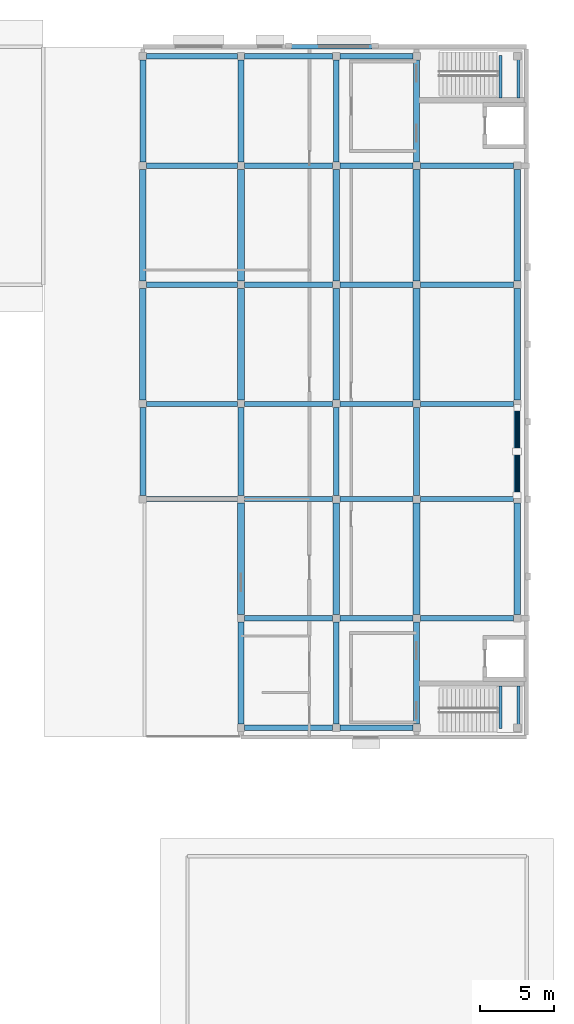
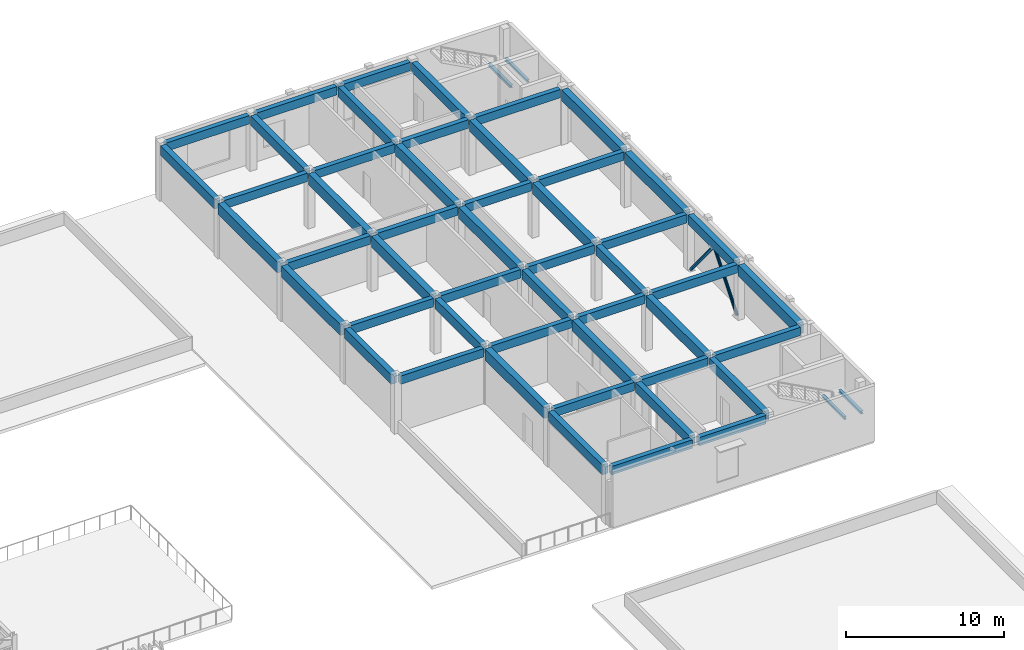
# One storey, part 17 of 45: 55 beams, 2 members.
"""IFC4 building model written with IfcOpenShell, lengths in metres."""

import ifcopenshell
import ifcopenshell.guid

model = None  # the IFC model being written
_history = None  # IfcOwnerHistory: only IFC2X3 demands one
_inside = {}  # id of a spatial element -> (the spatial element, [elements in it])
_under = {}  # id of a project, library or spatial element -> (it, [spatial elements below it])
_declared = {}  # id of a project -> (the project, [libraries it declares])
_typed = {}  # id of a type object -> (the type object, [elements of that type])
_made_of = {}  # id of a material, layer set ... -> (it, [elements and type objects made of it])


def new_model(schema):
    """Start an empty IFC model of exactly this schema.

    Asked for "IFC4X3", IfcOpenShell would pick the latest addendum, in which some entities
    have other attributes; the version numbers below select the first issue.
    IFC2X3 requires an IfcOwnerHistory on every rooted entity: one is made here for all.
    """
    global model, _history
    if schema == "IFC4X3":
        model = ifcopenshell.file(schema_version=(4, 3, 0, 0))
    else:
        model = ifcopenshell.file(schema=schema)
    _inside.clear()
    _under.clear()
    _declared.clear()
    _typed.clear()
    _made_of.clear()
    _history = None
    if model.schema == "IFC2X3":
        org = make("IfcOrganization", Name="unknown")
        user = make(
            "IfcPersonAndOrganization",
            ThePerson=make("IfcPerson", FamilyName="unknown"),
            TheOrganization=org,
        )
        app = make(
            "IfcApplication",
            ApplicationDeveloper=org,
            Version="unknown",
            ApplicationFullName="unknown",
            ApplicationIdentifier="unknown",
        )
        _history = make(
            "IfcOwnerHistory",
            OwningUser=user,
            OwningApplication=app,
            ChangeAction="ADDED",
            CreationDate=0,
        )
    return model


def make(cls, **values):
    """One entity of the class cls with the attributes given. An attribute that is None is left unset."""
    return model.create_entity(
        cls, **{name: value for name, value in values.items() if value is not None}
    )


def rooted(cls, **values):
    """An entity with a GlobalId (a new one), such as an element, a storey or a relation."""
    return make(cls, GlobalId=ifcopenshell.guid.new(), OwnerHistory=_history, **values)


def si_unit(unit_type, name, prefix=None):
    """IfcSIUnit, for example si_unit("LENGTHUNIT", "METRE", prefix="MILLI")."""
    return make("IfcSIUnit", UnitType=unit_type, Prefix=prefix, Name=name)


def assignment(units):
    """IfcUnitAssignment: the units of a project."""
    return None if units is None else make("IfcUnitAssignment", Units=units)


def point(xyz):
    """IfcCartesianPoint."""
    return None if xyz is None else make("IfcCartesianPoint", Coordinates=xyz)


def direction(xyz):
    """IfcDirection."""
    return None if xyz is None else make("IfcDirection", DirectionRatios=xyz)


def frame(location, z_axis=None, x_axis=None):
    """IfcAxis2Placement3D, a coordinate frame: its origin and axes. An axis left out is left unset."""
    return make(
        "IfcAxis2Placement3D",
        Location=point(location),
        Axis=direction(z_axis),
        RefDirection=direction(x_axis),
    )


def frame_2d(location, x_axis=None):
    """IfcAxis2Placement2D, a coordinate frame in the plane: its origin and x axis."""
    return make(
        "IfcAxis2Placement2D", Location=point(location), RefDirection=direction(x_axis)
    )


def origin():
    """The frame at (0, 0, 0) with its axes left unset."""
    return frame((0.0, 0.0, 0.0))


def origin_2d():
    """The frame at (0, 0) in the plane with its x axis left unset."""
    return frame_2d((0.0, 0.0))


def place(relative_to, where):
    """IfcLocalPlacement: puts the frame where relative to a parent placement (None: the world)."""
    return make(
        "IfcLocalPlacement", PlacementRelTo=relative_to, RelativePlacement=where
    )


def context(
    kind, dimensions, precision=None, world=None, true_north=None, identifier=None
):
    """IfcGeometricRepresentationContext, for example the 3D "Model" context."""
    return make(
        "IfcGeometricRepresentationContext",
        ContextIdentifier=identifier,
        ContextType=kind,
        CoordinateSpaceDimension=dimensions,
        Precision=precision,
        WorldCoordinateSystem=world,
        TrueNorth=true_north,
    )


def subcontext(parent, identifier, kind, view, scale=None):
    """IfcGeometricRepresentationSubContext, for example "Body" below "Model"."""
    return make(
        "IfcGeometricRepresentationSubContext",
        ContextIdentifier=identifier,
        ContextType=kind,
        ParentContext=parent,
        TargetScale=scale,
        TargetView=view,
    )


def project(units=None, contexts=None):
    """IfcProject with its units and contexts."""
    return rooted(
        "IfcProject",
        Name="project",
        RepresentationContexts=contexts,
        UnitsInContext=assignment(units),
    )


def spatial(cls, under=None, at=None, **own):
    """A site, building, storey or space (cls), placed at a placement, below another one or the project."""
    s = rooted(cls, ObjectPlacement=at, **own)
    if under is not None:
        _under.setdefault(under.id(), (under, []))[1].append(s)
    return s


def profile(cls, at=None, kind="AREA", **sizes):
    """A parametric profile (cls). Its sizes go by their IFC names, for example OverallWidth=200.0."""
    return make(cls, ProfileType=kind, Position=at, **sizes)


def rectangle(**sizes):
    """IfcRectangleProfileDef."""
    return profile("IfcRectangleProfileDef", **sizes)


def hollow_circle(**sizes):
    """IfcCircleHollowProfileDef."""
    return profile("IfcCircleHollowProfileDef", **sizes)


def i_section(**sizes):
    """IfcIShapeProfileDef."""
    return profile("IfcIShapeProfileDef", **sizes)


def extrude(swept, where, along, depth):
    """IfcExtrudedAreaSolid: the profile swept, set in the frame where, extruded along a direction by depth."""
    return make(
        "IfcExtrudedAreaSolid",
        SweptArea=swept,
        Position=where,
        ExtrudedDirection=direction(along),
        Depth=depth,
    )


def shape(context_of_items, identifier, shape_type, items):
    """IfcShapeRepresentation: the items that make up one representation, for example the "Body"."""
    return make(
        "IfcShapeRepresentation",
        ContextOfItems=context_of_items,
        RepresentationIdentifier=identifier,
        RepresentationType=shape_type,
        Items=items,
    )


def material(Name=None, Category=None):
    """IfcMaterial."""
    return make("IfcMaterial", Name=Name, Category=Category)


def material_profile(
    of_material, cross_section, Name=None, Category=None, Priority=None
):
    """IfcMaterialProfile: a cross section and its material."""
    return make(
        "IfcMaterialProfile",
        Name=Name,
        Material=of_material,
        Profile=cross_section,
        Priority=Priority,
        Category=Category,
    )


def profile_set(profiles, Name=None, composite=None):
    """IfcMaterialProfileSet."""
    return make(
        "IfcMaterialProfileSet",
        Name=Name,
        MaterialProfiles=profiles,
        CompositeProfile=composite,
    )


def made_of(thing, what):
    """Note that an element or type object is made of a material, layer set ...; save() writes the relation."""
    if what is not None:
        _made_of.setdefault(what.id(), (what, []))[1].append(thing)
    return thing


def type_object(cls, material=None, **own):
    """A type object (cls), such as IfcWallType, which elements share."""
    return made_of(rooted(cls, **own), material)


def element(
    cls,
    number,
    at=None,
    inside=None,
    cuts=None,
    type_object=None,
    material=None,
    context=None,
    identifier="Body",
    shape_type=None,
    held_by="IfcProductDefinitionShape",
    body=None,
    shapes=None,
    **own,
):
    """One element of the class cls, such as IfcWall. Its Tag is "e" and its number.

    at: its placement. inside: the storey or other place that contains it. cuts: it is an
    opening in that element (IfcRelVoidsElement). A single representation is given by context,
    identifier, shape_type and body (its items); several are given by shapes. held_by: the class
    of the entity that holds the representations. save() writes the other relations.
    """
    e = rooted(cls, Tag="e%d" % number, ObjectPlacement=at, **own)
    if body is not None:
        shapes = [shape(context, identifier, shape_type, body)]
    if shapes is not None:
        e.Representation = make(held_by, Representations=shapes)
    if inside is not None:
        _inside.setdefault(inside.id(), (inside, []))[1].append(e)
    if cuts is not None:
        rooted(
            "IfcRelVoidsElement", RelatingBuildingElement=cuts, RelatedOpeningElement=e
        )
    if type_object is not None:
        _typed.setdefault(type_object.id(), (type_object, []))[1].append(e)
    return made_of(e, material)


def aggregate(whole, parts):
    """IfcRelAggregates: a whole, such as a stair, and the parts it consists of."""
    return rooted("IfcRelAggregates", RelatingObject=whole, RelatedObjects=parts)


def save(model, path):
    """Write the relations noted so far, then the file.

    IfcRelAggregates (storeys below a building ...), IfcRelContainedInSpatialStructure (elements
    in a storey), IfcRelDefinesByType, IfcRelAssociatesMaterial and IfcRelDeclares: one each for
    every whole, place, type object, material and project.
    """
    for whole, parts in _under.values():
        aggregate(whole, parts)
    for where, things in _inside.values():
        rooted(
            "IfcRelContainedInSpatialStructure",
            RelatedElements=things,
            RelatingStructure=where,
        )
    for kind, things in _typed.values():
        rooted("IfcRelDefinesByType", RelatedObjects=things, RelatingType=kind)
    for what, things in _made_of.values():
        rooted("IfcRelAssociatesMaterial", RelatedObjects=things, RelatingMaterial=what)
    for by, libraries in _declared.values():
        rooted("IfcRelDeclares", RelatingContext=by, RelatedDefinitions=libraries)
    model.write(path)


model = new_model("IFC4")

# Units and contexts
model_context = context("Model", 3, precision=1e-05, world=origin(), true_north=direction((0.0, 1.0)))
body_context = subcontext(model_context, "Body", "Model", "MODEL_VIEW")
ifc_project = project(units=[si_unit("LENGTHUNIT", "METRE"), si_unit("AREAUNIT", "SQUARE_METRE"), si_unit("VOLUMEUNIT", "CUBIC_METRE"), si_unit("PLANEANGLEUNIT", "RADIAN"), si_unit("MASSUNIT", "GRAM", prefix="KILO")], contexts=[model_context])

# Site, building, storey
site_placement = place(None, origin())
site = spatial("IfcSite", under=ifc_project, at=site_placement, CompositionType="ELEMENT")
building_placement = place(site_placement, origin())
building = spatial("IfcBuilding", under=site, at=building_placement, Name="Cinchona Park Media Centre", CompositionType="ELEMENT")
storey_placement = place(building_placement, frame((0.0, 0.0, 20.39990234375)))
storey = spatial("IfcBuildingStorey", under=building, at=storey_placement, Name="L04", CompositionType="ELEMENT", Elevation=20.39990234375)

# Beams
ifc_material_1 = material(Name="Concrete C35/45", Category="concrete")
ifc_material_profile_1 = material_profile(ifc_material_1, rectangle(XDim=0.39990234375, YDim=0.75, at=origin_2d()), Name="RB 400X750")
ifc_profile_set_1 = profile_set([ifc_material_profile_1], Name="Concrete C35/45")
beam_type_1 = type_object("IfcBeamType", Name="BEAM-B01-RB400X750", PredefinedType="BEAM", material=ifc_profile_set_1)
beam_1_placement = place(storey_placement, frame((146.199951171875, 87.85009765625, 3.925048828125), z_axis=(0.0, 1.0, 0.0), x_axis=(-1.0, 0.0, 0.0)))
element("IfcBeam", 1, at=beam_1_placement, inside=storey, type_object=beam_type_1, Name="Girder B01 L04", PredefinedType="BEAM", context=body_context, shape_type="SweptSolid", body=[
    extrude(rectangle(XDim=0.39990234375, YDim=0.75, at=origin_2d()), origin(), (0.0, 0.0, 1.0), 5.89990234375),
])
for number, where, z_axis, x_axis, name in (
    (2, (146.199951171875, 110.25, 3.925048828125), (0.0, 1.0, 0.0), (-1.0, 0.0, 0.0), "Girder B01 L04"),
    (3, (152.800048828125, 72.489990234375, 3.925048828125), (0.0, 1.0, 0.0), (-1.0, 0.0, 0.0), "Girder B01 L04"),
):
    element("IfcBeam", number, at=place(storey_placement, frame(where, z_axis=z_axis, x_axis=x_axis)), inside=storey, type_object=beam_type_1, Name=name, PredefinedType="BEAM", context=body_context, shape_type="SweptSolid", body=[
        extrude(rectangle(XDim=0.39990234375, YDim=0.75, at=origin_2d()), origin(), (0.0, 0.0, 1.0), 6.860107421875),
    ])
beam_2_placement = place(storey_placement, frame((152.800048828125, 87.85009765625, 3.925048828125), z_axis=(0.0, 1.0, 0.0), x_axis=(-1.0, 0.0, 0.0)))
element("IfcBeam", 4, at=beam_2_placement, inside=storey, type_object=beam_type_1, Name="Girder B01 L04", PredefinedType="BEAM", context=body_context, shape_type="SweptSolid", body=[
    extrude(rectangle(XDim=0.39990234375, YDim=0.75, at=origin_2d()), origin(), (0.0, 0.0, 1.0), 5.89990234375),
])
for number, where, z_axis, x_axis, name in (
    (5, (152.800048828125, 110.25, 3.925048828125), (0.0, 1.0, 0.0), (-1.0, 0.0, 0.0), "Girder B01 L04"),
    (6, (159.199951171875, 72.489990234375, 3.925048828125), (0.0, 1.0, 0.0), (-1.0, 0.0, 0.0), "Girder B01 L04"),
):
    element("IfcBeam", number, at=place(storey_placement, frame(where, z_axis=z_axis, x_axis=x_axis)), inside=storey, type_object=beam_type_1, Name=name, PredefinedType="BEAM", context=body_context, shape_type="SweptSolid", body=[
        extrude(rectangle(XDim=0.39990234375, YDim=0.75, at=origin_2d()), origin(), (0.0, 0.0, 1.0), 6.860107421875),
    ])
beam_3_placement = place(storey_placement, frame((159.199951171875, 87.85009765625, 3.925048828125), z_axis=(0.0, 1.0, 0.0), x_axis=(-1.0, 0.0, 0.0)))
element("IfcBeam", 7, at=beam_3_placement, inside=storey, type_object=beam_type_1, Name="Girder B01 L04", PredefinedType="BEAM", context=body_context, shape_type="SweptSolid", body=[
    extrude(rectangle(XDim=0.39990234375, YDim=0.75, at=origin_2d()), origin(), (0.0, 0.0, 1.0), 5.89990234375),
])
for number, where, z_axis, x_axis, name in (
    (8, (159.199951171875, 110.25, 3.925048828125), (0.0, 1.0, 0.0), (-1.0, 0.0, 0.0), "Girder B01 L04"),
    (9, (164.60009765625, 72.489990234375, 3.925048828125), (0.0, 1.0, 0.0), (-1.0, 0.0, 0.0), "Girder B01 L04"),
):
    element("IfcBeam", number, at=place(storey_placement, frame(where, z_axis=z_axis, x_axis=x_axis)), inside=storey, type_object=beam_type_1, Name=name, PredefinedType="BEAM", context=body_context, shape_type="SweptSolid", body=[
        extrude(rectangle(XDim=0.39990234375, YDim=0.75, at=origin_2d()), origin(), (0.0, 0.0, 1.0), 6.860107421875),
    ])
beam_4_placement = place(storey_placement, frame((164.60009765625, 87.85009765625, 3.925048828125), z_axis=(0.0, 1.0, 0.0), x_axis=(-1.0, 0.0, 0.0)))
element("IfcBeam", 10, at=beam_4_placement, inside=storey, type_object=beam_type_1, Name="Girder B01 L04", PredefinedType="BEAM", context=body_context, shape_type="SweptSolid", body=[
    extrude(rectangle(XDim=0.39990234375, YDim=0.75, at=origin_2d()), origin(), (0.0, 0.0, 1.0), 5.89990234375),
])
beam_5_placement = place(storey_placement, frame((164.60009765625, 110.25, 3.925048828125), z_axis=(0.0, 1.0, 0.0), x_axis=(-1.0, 0.0, 0.0)))
element("IfcBeam", 11, at=beam_5_placement, inside=storey, type_object=beam_type_1, Name="Girder B01 L04", PredefinedType="BEAM", context=body_context, shape_type="SweptSolid", body=[
    extrude(rectangle(XDim=0.39990234375, YDim=0.75, at=origin_2d()), origin(), (0.0, 0.0, 1.0), 6.860107421875),
])
beam_6_placement = place(storey_placement, frame((171.360107421875, 87.85009765625, 3.925048828125), z_axis=(0.0, 1.0, 0.0), x_axis=(-1.0, 0.0, 0.0)))
element("IfcBeam", 12, at=beam_6_placement, inside=storey, type_object=beam_type_1, Name="Girder B01 L04", PredefinedType="BEAM", context=body_context, shape_type="SweptSolid", body=[
    extrude(rectangle(XDim=0.39990234375, YDim=0.75, at=origin_2d()), origin(), (0.0, 0.0, 1.0), 5.89990234375),
])
ifc_material_2 = material(Name="Concrete C35/45", Category="concrete")
ifc_material_profile_2 = material_profile(ifc_material_2, rectangle(XDim=0.449951171875, YDim=0.85009765625, at=origin_2d()), Name="RB 450X850")
ifc_profile_set_2 = profile_set([ifc_material_profile_2], Name="Concrete C35/45")
beam_type_2 = type_object("IfcBeamType", Name="BEAM-B02-RB450X850", PredefinedType="BEAM", material=ifc_profile_set_2)
for number, where, z_axis, x_axis, name in (
    (13, (146.199951171875, 94.25, 3.875), (0.0, 1.0, 0.0), (-1.0, 0.0, 0.0), "Girder B02 L04"),
    (14, (146.199951171875, 102.25, 3.875), (0.0, 1.0, 0.0), (-1.0, 0.0, 0.0), "Girder B02 L04"),
    (15, (152.800048828125, 79.85009765625, 3.875), (0.0, 1.0, 0.0), (-1.0, 0.0, 0.0), "Girder B02 L04"),
    (16, (152.800048828125, 94.25, 3.875), (0.0, 1.0, 0.0), (-1.0, 0.0, 0.0), "Girder B02 L04"),
    (17, (152.800048828125, 102.25, 3.875), (0.0, 1.0, 0.0), (-1.0, 0.0, 0.0), "Girder B02 L04"),
    (18, (159.199951171875, 79.85009765625, 3.875), (0.0, 1.0, 0.0), (-1.0, 0.0, 0.0), "Girder B02 L04"),
    (19, (159.199951171875, 94.25, 3.875), (0.0, 1.0, 0.0), (-1.0, 0.0, 0.0), "Girder B02 L04"),
    (20, (159.199951171875, 102.25, 3.875), (0.0, 1.0, 0.0), (-1.0, 0.0, 0.0), "Girder B02 L04"),
    (21, (164.60009765625, 79.85009765625, 3.875), (0.0, 1.0, 0.0), (-1.0, 0.0, 0.0), "Girder B02 L04"),
    (22, (164.60009765625, 94.25, 3.875), (0.0, 1.0, 0.0), (-1.0, 0.0, 0.0), "Girder B02 L04"),
    (23, (164.60009765625, 102.25, 3.875), (0.0, 1.0, 0.0), (-1.0, 0.0, 0.0), "Girder B02 L04"),
    (24, (171.360107421875, 79.85009765625, 3.875), (0.0, 1.0, 0.0), (-1.0, 0.0, 0.0), "Girder B02 L04"),
    (25, (171.360107421875, 94.25, 3.875), (0.0, 1.0, 0.0), (-1.0, 0.0, 0.0), "Girder B02 L04"),
    (26, (171.360107421875, 102.25, 3.875), (0.0, 1.0, 0.0), (-1.0, 0.0, 0.0), "Girder B02 L04"),
):
    element("IfcBeam", number, at=place(storey_placement, frame(where, z_axis=z_axis, x_axis=x_axis)), inside=storey, type_object=beam_type_2, Name=name, PredefinedType="BEAM", context=body_context, shape_type="SweptSolid", body=[
        extrude(rectangle(XDim=0.449951171875, YDim=0.85009765625, at=origin_2d()), origin(), (0.0, 0.0, 1.0), 7.5),
    ])
ifc_material_3 = material(Name="Concrete C35/45", Category="concrete")
ifc_material_profile_3 = material_profile(ifc_material_3, rectangle(XDim=0.35009765625, YDim=0.64990234375, at=origin_2d()), Name="RB 350X650")
ifc_profile_set_3 = profile_set([ifc_material_profile_3], Name="Concrete C35/45")
beam_type_3 = type_object("IfcBeamType", Name="BEAM-B04-RB350X650", PredefinedType="BEAM", material=ifc_profile_set_3)
beam_7_placement = place(storey_placement, frame((153.050048828125, 72.239990234375, 3.97509765625), z_axis=(1.0, 0.0, 0.0), x_axis=(0.0, 1.0, 0.0)))
element("IfcBeam", 27, at=beam_7_placement, inside=storey, type_object=beam_type_3, Name="Beam B04 L04", PredefinedType="BEAM", context=body_context, shape_type="SweptSolid", body=[
    extrude(rectangle(XDim=0.35009765625, YDim=0.64990234375, at=origin_2d()), origin(), (0.0, 0.0, 1.0), 5.89990234375),
])
beam_8_placement = place(storey_placement, frame((159.449951171875, 72.239990234375, 3.97509765625), z_axis=(1.0, 0.0, 0.0), x_axis=(0.0, 1.0, 0.0)))
element("IfcBeam", 28, at=beam_8_placement, inside=storey, type_object=beam_type_3, Name="Beam B04 L04", PredefinedType="BEAM", context=body_context, shape_type="SweptSolid", body=[
    extrude(rectangle(XDim=0.35009765625, YDim=0.64990234375, at=origin_2d()), origin(), (0.0, 0.0, 1.0), 4.900146484375),
])
beam_9_placement = place(storey_placement, frame((153.050048828125, 79.60009765625, 3.97509765625), z_axis=(1.0, 0.0, 0.0), x_axis=(0.0, 1.0, 0.0)))
element("IfcBeam", 29, at=beam_9_placement, inside=storey, type_object=beam_type_3, Name="Beam B04 L04", PredefinedType="BEAM", context=body_context, shape_type="SweptSolid", body=[
    extrude(rectangle(XDim=0.35009765625, YDim=0.64990234375, at=origin_2d()), origin(), (0.0, 0.0, 1.0), 5.89990234375),
])
beam_10_placement = place(storey_placement, frame((159.449951171875, 79.60009765625, 3.97509765625), z_axis=(1.0, 0.0, 0.0), x_axis=(0.0, 1.0, 0.0)))
element("IfcBeam", 30, at=beam_10_placement, inside=storey, type_object=beam_type_3, Name="Beam B04 L04", PredefinedType="BEAM", context=body_context, shape_type="SweptSolid", body=[
    extrude(rectangle(XDim=0.35009765625, YDim=0.64990234375, at=origin_2d()), origin(), (0.0, 0.0, 1.0), 4.900146484375),
])
beam_11_placement = place(storey_placement, frame((164.85009765625, 79.60009765625, 3.97509765625), z_axis=(1.0, 0.0, 0.0), x_axis=(0.0, 1.0, 0.0)))
element("IfcBeam", 31, at=beam_11_placement, inside=storey, type_object=beam_type_3, Name="Beam B04 L04", PredefinedType="BEAM", context=body_context, shape_type="SweptSolid", body=[
    extrude(rectangle(XDim=0.35009765625, YDim=0.64990234375, at=origin_2d()), origin(), (0.0, 0.0, 1.0), 6.260009765625),
])
beam_12_placement = place(storey_placement, frame((146.449951171875, 87.60009765625, 3.97509765625), z_axis=(1.0, 0.0, 0.0), x_axis=(0.0, 1.0, 0.0)))
element("IfcBeam", 32, at=beam_12_placement, inside=storey, type_object=beam_type_3, Name="Beam B04 L04", PredefinedType="BEAM", context=body_context, shape_type="SweptSolid", body=[
    extrude(rectangle(XDim=0.35009765625, YDim=0.64990234375, at=origin_2d()), origin(), (0.0, 0.0, 1.0), 6.10009765625),
])
beam_13_placement = place(storey_placement, frame((153.050048828125, 87.60009765625, 3.97509765625), z_axis=(1.0, 0.0, 0.0), x_axis=(0.0, 1.0, 0.0)))
element("IfcBeam", 33, at=beam_13_placement, inside=storey, type_object=beam_type_3, Name="Beam B04 L04", PredefinedType="BEAM", context=body_context, shape_type="SweptSolid", body=[
    extrude(rectangle(XDim=0.35009765625, YDim=0.64990234375, at=origin_2d()), origin(), (0.0, 0.0, 1.0), 5.89990234375),
])
beam_14_placement = place(storey_placement, frame((159.449951171875, 87.60009765625, 3.97509765625), z_axis=(1.0, 0.0, 0.0), x_axis=(0.0, 1.0, 0.0)))
element("IfcBeam", 34, at=beam_14_placement, inside=storey, type_object=beam_type_3, Name="Beam B04 L04", PredefinedType="BEAM", context=body_context, shape_type="SweptSolid", body=[
    extrude(rectangle(XDim=0.35009765625, YDim=0.64990234375, at=origin_2d()), origin(), (0.0, 0.0, 1.0), 4.900146484375),
])
beam_15_placement = place(storey_placement, frame((164.85009765625, 87.60009765625, 3.97509765625), z_axis=(1.0, 0.0, 0.0), x_axis=(0.0, 1.0, 0.0)))
element("IfcBeam", 35, at=beam_15_placement, inside=storey, type_object=beam_type_3, Name="Beam B04 L04", PredefinedType="BEAM", context=body_context, shape_type="SweptSolid", body=[
    extrude(rectangle(XDim=0.35009765625, YDim=0.64990234375, at=origin_2d()), origin(), (0.0, 0.0, 1.0), 6.260009765625),
])
beam_16_placement = place(storey_placement, frame((146.449951171875, 94.0, 3.97509765625), z_axis=(1.0, 0.0, 0.0), x_axis=(0.0, 1.0, 0.0)))
element("IfcBeam", 36, at=beam_16_placement, inside=storey, type_object=beam_type_3, Name="Beam B04 L04", PredefinedType="BEAM", context=body_context, shape_type="SweptSolid", body=[
    extrude(rectangle(XDim=0.35009765625, YDim=0.64990234375, at=origin_2d()), origin(), (0.0, 0.0, 1.0), 6.10009765625),
])
beam_17_placement = place(storey_placement, frame((153.050048828125, 94.0, 3.97509765625), z_axis=(1.0, 0.0, 0.0), x_axis=(0.0, 1.0, 0.0)))
element("IfcBeam", 37, at=beam_17_placement, inside=storey, type_object=beam_type_3, Name="Beam B04 L04", PredefinedType="BEAM", context=body_context, shape_type="SweptSolid", body=[
    extrude(rectangle(XDim=0.35009765625, YDim=0.64990234375, at=origin_2d()), origin(), (0.0, 0.0, 1.0), 5.89990234375),
])
beam_18_placement = place(storey_placement, frame((159.449951171875, 94.0, 3.97509765625), z_axis=(1.0, 0.0, 0.0), x_axis=(0.0, 1.0, 0.0)))
element("IfcBeam", 38, at=beam_18_placement, inside=storey, type_object=beam_type_3, Name="Beam B04 L04", PredefinedType="BEAM", context=body_context, shape_type="SweptSolid", body=[
    extrude(rectangle(XDim=0.35009765625, YDim=0.64990234375, at=origin_2d()), origin(), (0.0, 0.0, 1.0), 4.900146484375),
])
beam_19_placement = place(storey_placement, frame((164.85009765625, 94.0, 3.97509765625), z_axis=(1.0, 0.0, 0.0), x_axis=(0.0, 1.0, 0.0)))
element("IfcBeam", 39, at=beam_19_placement, inside=storey, type_object=beam_type_3, Name="Beam B04 L04", PredefinedType="BEAM", context=body_context, shape_type="SweptSolid", body=[
    extrude(rectangle(XDim=0.35009765625, YDim=0.64990234375, at=origin_2d()), origin(), (0.0, 0.0, 1.0), 6.260009765625),
])
beam_20_placement = place(storey_placement, frame((146.449951171875, 102.0, 3.97509765625), z_axis=(1.0, 0.0, 0.0), x_axis=(0.0, 1.0, 0.0)))
element("IfcBeam", 40, at=beam_20_placement, inside=storey, type_object=beam_type_3, Name="Beam B04 L04", PredefinedType="BEAM", context=body_context, shape_type="SweptSolid", body=[
    extrude(rectangle(XDim=0.35009765625, YDim=0.64990234375, at=origin_2d()), origin(), (0.0, 0.0, 1.0), 6.10009765625),
])
beam_21_placement = place(storey_placement, frame((153.050048828125, 102.0, 3.97509765625), z_axis=(1.0, 0.0, 0.0), x_axis=(0.0, 1.0, 0.0)))
element("IfcBeam", 41, at=beam_21_placement, inside=storey, type_object=beam_type_3, Name="Beam B04 L04", PredefinedType="BEAM", context=body_context, shape_type="SweptSolid", body=[
    extrude(rectangle(XDim=0.35009765625, YDim=0.64990234375, at=origin_2d()), origin(), (0.0, 0.0, 1.0), 5.89990234375),
])
beam_22_placement = place(storey_placement, frame((159.449951171875, 102.0, 3.97509765625), z_axis=(1.0, 0.0, 0.0), x_axis=(0.0, 1.0, 0.0)))
element("IfcBeam", 42, at=beam_22_placement, inside=storey, type_object=beam_type_3, Name="Beam B04 L04", PredefinedType="BEAM", context=body_context, shape_type="SweptSolid", body=[
    extrude(rectangle(XDim=0.35009765625, YDim=0.64990234375, at=origin_2d()), origin(), (0.0, 0.0, 1.0), 4.900146484375),
])
beam_23_placement = place(storey_placement, frame((164.85009765625, 102.0, 3.97509765625), z_axis=(1.0, 0.0, 0.0), x_axis=(0.0, 1.0, 0.0)))
element("IfcBeam", 43, at=beam_23_placement, inside=storey, type_object=beam_type_3, Name="Beam B04 L04", PredefinedType="BEAM", context=body_context, shape_type="SweptSolid", body=[
    extrude(rectangle(XDim=0.35009765625, YDim=0.64990234375, at=origin_2d()), origin(), (0.0, 0.0, 1.0), 6.260009765625),
])
beam_24_placement = place(storey_placement, frame((146.449951171875, 110.0, 3.97509765625), z_axis=(1.0, 0.0, 0.0), x_axis=(0.0, 1.0, 0.0)))
element("IfcBeam", 44, at=beam_24_placement, inside=storey, type_object=beam_type_3, Name="Beam B04 L04", PredefinedType="BEAM", context=body_context, shape_type="SweptSolid", body=[
    extrude(rectangle(XDim=0.35009765625, YDim=0.64990234375, at=origin_2d()), origin(), (0.0, 0.0, 1.0), 6.10009765625),
])
beam_25_placement = place(storey_placement, frame((153.050048828125, 110.0, 3.97509765625), z_axis=(1.0, 0.0, 0.0), x_axis=(0.0, 1.0, 0.0)))
element("IfcBeam", 45, at=beam_25_placement, inside=storey, type_object=beam_type_3, Name="Beam B04 L04", PredefinedType="BEAM", context=body_context, shape_type="SweptSolid", body=[
    extrude(rectangle(XDim=0.35009765625, YDim=0.64990234375, at=origin_2d()), origin(), (0.0, 0.0, 1.0), 5.89990234375),
])
beam_26_placement = place(storey_placement, frame((159.449951171875, 110.0, 3.97509765625), z_axis=(1.0, 0.0, 0.0), x_axis=(0.0, 1.0, 0.0)))
element("IfcBeam", 46, at=beam_26_placement, inside=storey, type_object=beam_type_3, Name="Beam B04 L04", PredefinedType="BEAM", context=body_context, shape_type="SweptSolid", body=[
    extrude(rectangle(XDim=0.35009765625, YDim=0.64990234375, at=origin_2d()), origin(), (0.0, 0.0, 1.0), 4.900146484375),
])
beam_27_placement = place(storey_placement, frame((164.85009765625, 110.0, 3.97509765625), z_axis=(1.0, 0.0, 0.0), x_axis=(0.0, 1.0, 0.0)))
element("IfcBeam", 47, at=beam_27_placement, inside=storey, type_object=beam_type_3, Name="Beam B04 L04", PredefinedType="BEAM", context=body_context, shape_type="SweptSolid", body=[
    extrude(rectangle(XDim=0.35009765625, YDim=0.64990234375, at=origin_2d()), origin(), (0.0, 0.0, 1.0), 6.260009765625),
])
beam_28_placement = place(storey_placement, frame((146.449951171875, 117.360107421875, 3.97509765625), z_axis=(1.0, 0.0, 0.0), x_axis=(0.0, 1.0, 0.0)))
element("IfcBeam", 48, at=beam_28_placement, inside=storey, type_object=beam_type_3, Name="Beam B04 L04", PredefinedType="BEAM", context=body_context, shape_type="SweptSolid", body=[
    extrude(rectangle(XDim=0.35009765625, YDim=0.64990234375, at=origin_2d()), origin(), (0.0, 0.0, 1.0), 6.10009765625),
])
beam_29_placement = place(storey_placement, frame((153.050048828125, 117.360107421875, 3.97509765625), z_axis=(1.0, 0.0, 0.0), x_axis=(0.0, 1.0, 0.0)))
element("IfcBeam", 49, at=beam_29_placement, inside=storey, type_object=beam_type_3, Name="Beam B04 L04", PredefinedType="BEAM", context=body_context, shape_type="SweptSolid", body=[
    extrude(rectangle(XDim=0.35009765625, YDim=0.64990234375, at=origin_2d()), origin(), (0.0, 0.0, 1.0), 5.89990234375),
])
beam_30_placement = place(storey_placement, frame((159.449951171875, 117.360107421875, 3.97509765625), z_axis=(1.0, 0.0, 0.0), x_axis=(0.0, 1.0, 0.0)))
element("IfcBeam", 50, at=beam_30_placement, inside=storey, type_object=beam_type_3, Name="Beam B04 L04", PredefinedType="BEAM", context=body_context, shape_type="SweptSolid", body=[
    extrude(rectangle(XDim=0.35009765625, YDim=0.64990234375, at=origin_2d()), origin(), (0.0, 0.0, 1.0), 4.900146484375),
])
ifc_material_4 = material(Name="Steel S355", Category="steel")
ifc_material_profile_4 = material_profile(ifc_material_4, i_section(OverallWidth=0.202880859375, OverallDepth=0.202880859375, WebThickness=0.007080078125, FlangeThickness=0.010986328125, at=origin_2d()), Name="W200X46")
ifc_profile_set_4 = profile_set([ifc_material_profile_4], Name="Steel S355")
beam_type_4 = type_object("IfcBeamType", Name="BEAM-B10-W200X46", PredefinedType="BEAM", material=ifc_profile_set_4)
for number, where, z_axis, x_axis, name in (
    (51, (170.239990234375, 75.044921875, 1.95361328125), (0.0, -1.0, 0.0), (1.0, 0.0, 0.0), "Stair Landing Bearer Beam B10 ST1 L04"),
    (52, (171.4599609375, 75.044921875, 1.95361328125), (0.0, -1.0, 0.0), (1.0, 0.0, 0.0), "Stair Landing Bearer Beam B10 ST1 L04"),
    (53, (170.239990234375, 114.554931640625, 1.95361328125), (0.0, 1.0, 0.0), (-1.0, 0.0, 0.0), "Stair Landing Bearer Beam B10 ST2 L04"),
    (54, (171.4599609375, 114.554931640625, 1.95361328125), (0.0, 1.0, 0.0), (-1.0, 0.0, 0.0), "Stair Landing Bearer Beam B10 ST2 L04"),
):
    element("IfcBeam", number, at=place(storey_placement, frame(where, z_axis=z_axis, x_axis=x_axis)), inside=storey, type_object=beam_type_4, Name=name, PredefinedType="BEAM", context=body_context, shape_type="SweptSolid", body=[
        extrude(i_section(OverallWidth=0.202880859375, OverallDepth=0.202880859375, WebThickness=0.007080078125, FlangeThickness=0.010986328125, at=origin_2d()), origin(), (0.0, 0.0, 1.0), 2.844970703125),
    ])
ifc_material_5 = material(Name="Concrete C35/45", Category="concrete")
ifc_material_profile_5 = material_profile(ifc_material_5, rectangle(XDim=0.300048828125, YDim=0.39990234375, at=origin_2d()), Name="RL 300X400")
ifc_profile_set_5 = profile_set([ifc_material_profile_5], Name="Concrete C35/45")
beam_type_5 = type_object("IfcBeamType", Name="BEAM-LN02-RL300X400", PredefinedType="LINTEL", material=ifc_profile_set_5)
beam_31_placement = place(storey_placement, frame((156.205078125, 118.0, 3.60009765625), z_axis=(1.0, 0.0, 0.0), x_axis=(0.0, 1.0, 0.0)))
element("IfcBeam", 55, at=beam_31_placement, inside=storey, type_object=beam_type_5, Name="Window Lintel LN02", PredefinedType="LINTEL", context=body_context, shape_type="SweptSolid", body=[
    extrude(rectangle(XDim=0.300048828125, YDim=0.39990234375, at=origin_2d()), origin(), (0.0, 0.0, 1.0), 5.389892578125),
])

# Members
ifc_material_6 = material(Name="Steel S355", Category="steel")
ifc_material_profile_6 = material_profile(ifc_material_6, hollow_circle(Radius=0.109619140625, WallThickness=0.012451171875, at=origin_2d()), Name="219.1X12.5CHS")
ifc_profile_set_6 = profile_set([ifc_material_profile_6], Name="Steel S355")
member_type = type_object("IfcMemberType", Name="MEMBER-BR02-CHS219.1X12.5", PredefinedType="BRACE", material=ifc_profile_set_6)
for number, where, z_axis, x_axis, name in (
    (56, (171.360107421875, 87.85498046875, 0.005126953125), (0.0, 0.633718276726, 0.773563924794), (-1.0, 0.0, 0.0), "Vertical Chevron Brace BR02 L04"),
    (57, (171.360107421875, 93.7451171875, 0.005126953125), (0.0, -0.633718276726, 0.773563924794), (1.0, 0.0, 0.0), "Vertical Chevron Brace BR02 L04"),
):
    element("IfcMember", number, at=place(storey_placement, frame(where, z_axis=z_axis, x_axis=x_axis)), inside=storey, type_object=member_type, Name=name, PredefinedType="BRACE", context=body_context, shape_type="SweptSolid", body=[
        extrude(hollow_circle(Radius=0.109619140625, WallThickness=0.012451171875, at=origin_2d()), origin(), (0.0, 0.0, 1.0), 4.647216796875),
    ])

save(model, "model.ifc")
